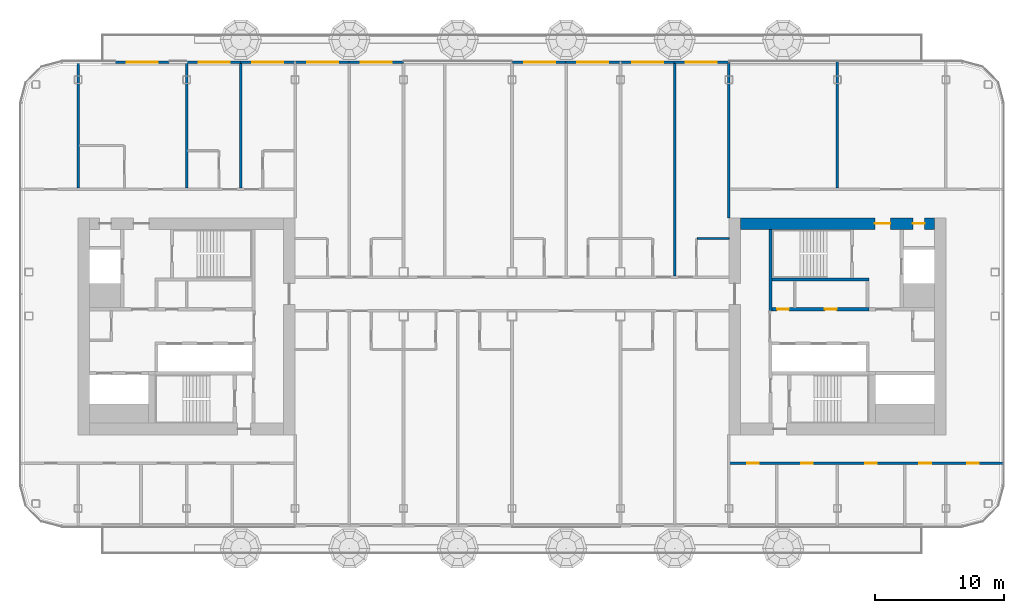
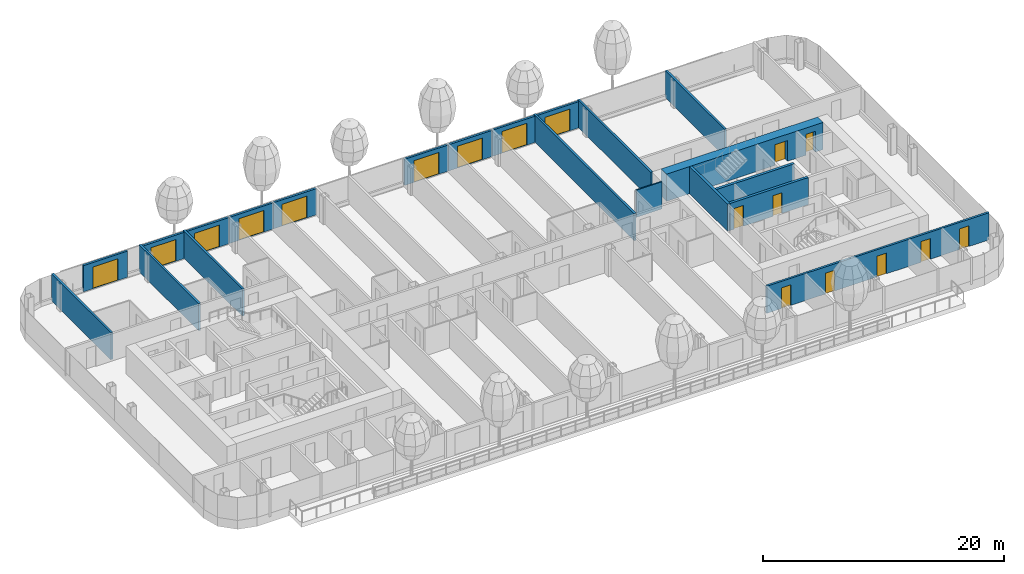
# One storey, part 15 of 29: 21 walls, 18 doors, 18 openings, 1 element without a shape of its own.
"""IFC4 building model written with IfcOpenShell, lengths in metres."""

from ifc_helpers import new_model, si_unit, direction, frame, frame_2d, origin, place, context, subcontext, project, spatial, rectangle, extrude, material, layer, layer_set, type_object, element, fill, aggregate, save


model = new_model("IFC4")

# Units and contexts
model_context = context("Model", 3, precision=1e-05, world=origin(), true_north=direction((0.0, 1.0)))
body_context = subcontext(model_context, "Body", "Model", "MODEL_VIEW")
ifc_project = project(units=[si_unit("LENGTHUNIT", "METRE"), si_unit("AREAUNIT", "SQUARE_METRE"), si_unit("VOLUMEUNIT", "CUBIC_METRE"), si_unit("PLANEANGLEUNIT", "RADIAN"), si_unit("MASSUNIT", "GRAM", prefix="KILO")], contexts=[model_context])

# Site, building, storey
site_placement = place(None, origin())
site = spatial("IfcSite", under=ifc_project, at=site_placement, CompositionType="ELEMENT")
building_placement = place(site_placement, origin())
building = spatial("IfcBuilding", under=site, at=building_placement, Name="Hakoniwa Tower and Hamabe Station Hall", CompositionType="ELEMENT")
storey_placement = place(building_placement, frame((0.0, 0.0, 205.800048828125)))
storey = spatial("IfcBuildingStorey", under=building, at=storey_placement, Name="L58", CompositionType="ELEMENT", Elevation=205.800048828125)

# Wall
ifc_material_1 = material(Name="Gypsum board partition", Category="gypsum")
ifc_layer_1 = layer(ifc_material_1, 0.125)
ifc_layer_set_1 = layer_set([ifc_layer_1], Name="Bathroom Partition 125")
wall_type_1 = type_object("IfcWallType", Name="Bathroom Partition 125", PredefinedType="PARTITIONING", material=ifc_layer_set_1)
wall_1_placement = place(storey_placement, frame((14.362548828125, 6.800048828125, 0.0), z_axis=(0.0, 0.0, 1.0), x_axis=(1.0, 0.0, 0.0)))
element("IfcWall", 1, at=wall_1_placement, inside=storey, type_object=wall_type_1, Name="GW-L58-014", PredefinedType="PARTITIONING", context=body_context, shape_type="SweptSolid", body=[
    extrude(rectangle(XDim=2.447509765625, YDim=0.125, at=frame_2d((1.2236328125, 0.0))), origin(), (0.0, 0.0, 1.0), 2.75),
])

# Wall, openings, doors
ifc_material_2 = material(Name="Concrete C60", Category="concrete")
ifc_layer_2 = layer(ifc_material_2, 0.89990234375)
ifc_layer_set_2 = layer_set([ifc_layer_2], Name="CORE WALL 900 C60")
wall_type_2 = type_object("IfcWallType", Name="CORE WALL 900 C60", PredefinedType="SHEAR", material=ifc_layer_set_2)
wall_2_placement = place(storey_placement, frame((17.699951171875, 7.949951171875, 0.0), z_axis=(0.0, 0.0, 1.0), x_axis=(1.0, 0.0, 0.0)))
wall_2 = element("IfcWall", 2, at=wall_2_placement, inside=storey, type_object=wall_type_2, Name="Core wall NORTH east", PredefinedType="SHEAR", context=body_context, shape_type="SweptSolid", body=[
    extrude(rectangle(XDim=15.0, YDim=0.89990234375, at=frame_2d((7.5, 0.0))), origin(), (0.0, 0.0, 1.0), 2.75),
])
opening_1_placement = place(wall_2_placement, frame((10.39990234375, 0.0, 0.0)))
opening_1 = element("IfcOpeningElement", 3, at=opening_1_placement, cuts=wall_2, Name="Opening CD-E-FN1-12", PredefinedType="OPENING", context=body_context, shape_type="SweptSolid", body=[
    extrude(rectangle(XDim=1.199951171875, YDim=2.10009765625, at=frame_2d((0.60009765625, 1.050048828125))), frame((0.0, 0.4599609375, 0.0), z_axis=(0.0, -1.0, 0.0), x_axis=(1.0, 0.0, 0.0)), (0.0, 0.0, 1.0), 0.919921875),
])
opening_2_placement = place(wall_2_placement, frame((13.35009765625, 0.0, 0.0)))
opening_2 = element("IfcOpeningElement", 4, at=opening_2_placement, cuts=wall_2, Name="Opening CD-E-FN2-9", PredefinedType="OPENING", context=body_context, shape_type="SweptSolid", body=[
    extrude(rectangle(XDim=0.89990234375, YDim=2.10009765625, at=frame_2d((0.449951171875, 1.050048828125))), frame((0.0, 0.4599609375, 0.0), z_axis=(0.0, -1.0, 0.0), x_axis=(1.0, 0.0, 0.0)), (0.0, 0.0, 1.0), 0.919921875),
])
ifc_material_3 = material(Name="Steel fire door", Category="steel")
door_type_1 = type_object("IfcDoorType", Name="CORE DOOR 1200 FD60", OperationType="DOUBLE_DOOR_SINGLE_SWING", PredefinedType="DOOR", material=ifc_material_3)
door_1_placement = place(opening_1_placement, origin())
door_1 = element("IfcDoor", 5, at=door_1_placement, inside=storey, type_object=door_type_1, Name="Stair vestibule door to the fire-fighting lobby", OperationType="DOUBLE_DOOR_SINGLE_SWING", OverallHeight=2.10009765625, OverallWidth=1.199951171875, PredefinedType="DOOR", context=body_context, shape_type="SweptSolid", body=[
    extrude(rectangle(XDim=1.199951171875, YDim=2.10009765625, at=frame_2d((0.60009765625, 1.050048828125))), frame((0.0, 0.02490234375, 0.0), z_axis=(0.0, -1.0, 0.0), x_axis=(1.0, 0.0, 0.0)), (0.0, 0.0, 1.0), 0.050048828125),
])
fill(opening_1, door_1)
ifc_material_4 = material(Name="Steel fire door", Category="steel")
door_type_2 = type_object("IfcDoorType", Name="CORE DOOR 900 FD30", OperationType="NOTDEFINED", PredefinedType="DOOR", material=ifc_material_4)
door_2_placement = place(opening_2_placement, origin())
door_2 = element("IfcDoor", 6, at=door_2_placement, inside=storey, type_object=door_type_2, Name="Riser access door", OperationType="SINGLE_SWING_LEFT", OverallHeight=2.10009765625, OverallWidth=0.89990234375, PredefinedType="DOOR", context=body_context, shape_type="SweptSolid", body=[
    extrude(rectangle(XDim=0.89990234375, YDim=2.10009765625, at=frame_2d((0.449951171875, 1.050048828125))), frame((0.0, 0.02490234375, 0.0), z_axis=(0.0, -1.0, 0.0), x_axis=(1.0, 0.0, 0.0)), (0.0, 0.0, 1.0), 0.050048828125),
])
fill(opening_2, door_2)

# Wall
ifc_material_5 = material(Name="Concrete C60", Category="concrete")
ifc_layer_3 = layer(ifc_material_5, 0.25)
ifc_layer_set_3 = layer_set([ifc_layer_3], Name="CORE WEB WALL 250 C60")
wall_type_3 = type_object("IfcWallType", Name="CORE WEB WALL 250 C60", PredefinedType="SHEAR", material=ifc_layer_set_3)
wall_3_placement = place(storey_placement, frame((20.02490234375, 1.199951171875, 0.0), z_axis=(0.0, 0.0, 1.0), x_axis=(0.0, 1.0, 0.0)))
element("IfcWall", 7, at=wall_3_placement, inside=storey, type_object=wall_type_3, Name="Core wall W1N east", PredefinedType="SHEAR", context=body_context, shape_type="SweptSolid", body=[
    extrude(rectangle(XDim=6.300048828125, YDim=0.25, at=frame_2d((3.14990234375, 0.0))), origin(), (0.0, 0.0, 1.0), 2.75),
])

# Wall, openings, doors
wall_4_placement = place(storey_placement, frame((20.14990234375, 1.324951171875, 0.0), z_axis=(0.0, 0.0, 1.0), x_axis=(1.0, 0.0, 0.0)))
wall_4 = element("IfcWall", 8, at=wall_4_placement, inside=storey, type_object=wall_type_3, Name="Core wall NF east", PredefinedType="SHEAR", context=body_context, shape_type="SweptSolid", body=[
    extrude(rectangle(XDim=7.5, YDim=0.25, at=frame_2d((3.75, 0.0))), origin(), (0.0, 0.0, 1.0), 2.75),
])
opening_3_placement = place(wall_4_placement, frame((0.387451171875, 0.0, 0.0)))
opening_3 = element("IfcOpeningElement", 9, at=opening_3_placement, cuts=wall_4, Name="Opening CD-E-FRLR0-9", PredefinedType="OPENING", context=body_context, shape_type="SweptSolid", body=[
    extrude(rectangle(XDim=0.89990234375, YDim=2.10009765625, at=frame_2d((0.449951171875, 1.050048828125))), frame((0.0, 0.135009765625, 0.0), z_axis=(0.0, -1.0, 0.0), x_axis=(1.0, 0.0, 0.0)), (0.0, 0.0, 1.0), 0.27001953125),
])
opening_4_placement = place(wall_4_placement, frame((4.08740234375, 0.0, 0.0)))
opening_4 = element("IfcOpeningElement", 10, at=opening_4_placement, cuts=wall_4, Name="Opening CD-E-FRLR1-9", PredefinedType="OPENING", context=body_context, shape_type="SweptSolid", body=[
    extrude(rectangle(XDim=0.89990234375, YDim=2.10009765625, at=frame_2d((0.449951171875, 1.050048828125))), frame((0.0, 0.135009765625, 0.0), z_axis=(0.0, -1.0, 0.0), x_axis=(1.0, 0.0, 0.0)), (0.0, 0.0, 1.0), 0.27001953125),
])
door_3_placement = place(opening_3_placement, origin())
door_3 = element("IfcDoor", 11, at=door_3_placement, inside=storey, type_object=door_type_2, Name="Store room door", OperationType="SINGLE_SWING_LEFT", OverallHeight=2.10009765625, OverallWidth=0.89990234375, PredefinedType="DOOR", context=body_context, shape_type="SweptSolid", body=[
    extrude(rectangle(XDim=0.89990234375, YDim=2.10009765625, at=frame_2d((0.449951171875, 1.050048828125))), frame((0.0, 0.02490234375, 0.0), z_axis=(0.0, -1.0, 0.0), x_axis=(1.0, 0.0, 0.0)), (0.0, 0.0, 1.0), 0.050048828125),
])
fill(opening_3, door_3)
door_4_placement = place(opening_4_placement, origin())
door_4 = element("IfcDoor", 12, at=door_4_placement, inside=storey, type_object=door_type_2, Name="Store room door", OperationType="SINGLE_SWING_RIGHT", OverallHeight=2.10009765625, OverallWidth=0.89990234375, PredefinedType="DOOR", context=body_context, shape_type="SweptSolid", body=[
    extrude(rectangle(XDim=0.89990234375, YDim=2.10009765625, at=frame_2d((0.449951171875, 1.050048828125))), frame((0.0, 0.02490234375, 0.0), z_axis=(0.0, -1.0, 0.0), x_axis=(1.0, 0.0, 0.0)), (0.0, 0.0, 1.0), 0.050048828125),
])
fill(opening_4, door_4)

# Wall
wall_5_placement = place(storey_placement, frame((20.14990234375, 3.625, 0.0), z_axis=(0.0, 0.0, 1.0), x_axis=(1.0, 0.0, 0.0)))
element("IfcWall", 13, at=wall_5_placement, inside=storey, type_object=wall_type_3, Name="Core wall NR east", PredefinedType="SHEAR", context=body_context, shape_type="SweptSolid", body=[
    extrude(rectangle(XDim=7.5, YDim=0.25, at=frame_2d((3.75, 0.0))), origin(), (0.0, 0.0, 1.0), 2.75),
])

# Wall, openings, doors
ifc_material_6 = material(Name="Fire-rated gypsum board partition", Category="gypsum")
ifc_layer_4 = layer(ifc_material_6, 0.199951171875)
ifc_layer_set_4 = layer_set([ifc_layer_4], Name="Corridor Wall 200")
wall_type_4 = type_object("IfcWallType", Name="Corridor Wall 200", PredefinedType="PARTITIONING", material=ifc_layer_set_4)
wall_6_placement = place(storey_placement, frame((16.800048828125, -10.60009765625, 0.0), z_axis=(0.0, 0.0, 1.0), x_axis=(1.0, 0.0, 0.0)))
wall_6 = element("IfcWall", 14, at=wall_6_placement, inside=storey, type_object=wall_type_4, Name="GW-L58-002", PredefinedType="PARTITIONING", context=body_context, shape_type="SweptSolid", body=[
    extrude(rectangle(XDim=21.300048828125, YDim=0.199951171875, at=frame_2d((10.64990234375, 0.0))), origin(), (0.0, 0.0, 1.0), 2.75),
])
opening_5_placement = place(wall_6_placement, frame((1.39990234375, 0.0, 0.0)))
opening_5 = element("IfcOpeningElement", 15, at=opening_5_placement, cuts=wall_6, Name="Opening GD-G4B1-06", PredefinedType="OPENING", context=body_context, shape_type="SweptSolid", body=[
    extrude(rectangle(XDim=0.89990234375, YDim=2.10009765625, at=frame_2d((0.449951171875, 1.050048828125))), frame((0.0, 0.10986328125, 0.0), z_axis=(0.0, -1.0, 0.0), x_axis=(1.0, 0.0, 0.0)), (0.0, 0.0, 1.0), 0.219970703125),
])
opening_6_placement = place(wall_6_placement, frame((5.60009765625, 0.0, 0.0)))
opening_6 = element("IfcOpeningElement", 16, at=opening_6_placement, cuts=wall_6, Name="Opening GD-G4B1-07", PredefinedType="OPENING", context=body_context, shape_type="SweptSolid", body=[
    extrude(rectangle(XDim=0.89990234375, YDim=2.10009765625, at=frame_2d((0.449951171875, 1.050048828125))), frame((0.0, 0.10986328125, 0.0), z_axis=(0.0, -1.0, 0.0), x_axis=(1.0, 0.0, 0.0)), (0.0, 0.0, 1.0), 0.219970703125),
])
opening_7_placement = place(wall_6_placement, frame((10.554931640625, 0.0, 0.0)))
opening_7 = element("IfcOpeningElement", 17, at=opening_7_placement, cuts=wall_6, Name="Opening GD-G4B1-08", PredefinedType="OPENING", context=body_context, shape_type="SweptSolid", body=[
    extrude(rectangle(XDim=0.89990234375, YDim=2.10009765625, at=frame_2d((0.449951171875, 1.050048828125))), frame((0.0, 0.10986328125, 0.0), z_axis=(0.0, -1.0, 0.0), x_axis=(1.0, 0.0, 0.0)), (0.0, 0.0, 1.0), 0.219970703125),
])
opening_8_placement = place(wall_6_placement, frame((14.7548828125, 0.0, 0.0)))
opening_8 = element("IfcOpeningElement", 18, at=opening_8_placement, cuts=wall_6, Name="Opening GD-G4B1-09", PredefinedType="OPENING", context=body_context, shape_type="SweptSolid", body=[
    extrude(rectangle(XDim=0.89990234375, YDim=2.10009765625, at=frame_2d((0.449951171875, 1.050048828125))), frame((0.0, 0.10986328125, 0.0), z_axis=(0.0, -1.0, 0.0), x_axis=(1.0, 0.0, 0.0)), (0.0, 0.0, 1.0), 0.219970703125),
])
opening_9_placement = place(wall_6_placement, frame((18.449951171875, 0.0, 0.0)))
opening_9 = element("IfcOpeningElement", 19, at=opening_9_placement, cuts=wall_6, Name="Opening GD-G4B1-10", PredefinedType="OPENING", context=body_context, shape_type="SweptSolid", body=[
    extrude(rectangle(XDim=0.89990234375, YDim=2.10009765625, at=frame_2d((0.449951171875, 1.050048828125))), frame((0.0, 0.10986328125, 0.0), z_axis=(0.0, -1.0, 0.0), x_axis=(1.0, 0.0, 0.0)), (0.0, 0.0, 1.0), 0.219970703125),
])
ifc_material_7 = material(Name="Timber door leaf", Category="wood")
door_type_3 = type_object("IfcDoorType", Name="Service Door 900", OperationType="SINGLE_SWING_LEFT", PredefinedType="DOOR", material=ifc_material_7)
door_5_placement = place(opening_5_placement, origin())
door_5 = element("IfcDoor", 20, at=door_5_placement, inside=storey, type_object=door_type_3, Name="Door GD-G4B1-06", OperationType="SINGLE_SWING_LEFT", OverallHeight=2.10009765625, OverallWidth=0.89990234375, PredefinedType="DOOR", context=body_context, shape_type="SweptSolid", body=[
    extrude(rectangle(XDim=0.89990234375, YDim=2.10009765625, at=frame_2d((0.449951171875, 1.050048828125))), frame((0.0, 0.02490234375, 0.0), z_axis=(0.0, -1.0, 0.0), x_axis=(1.0, 0.0, 0.0)), (0.0, 0.0, 1.0), 0.050048828125),
])
fill(opening_5, door_5)
door_6_placement = place(opening_6_placement, origin())
door_6 = element("IfcDoor", 21, at=door_6_placement, inside=storey, type_object=door_type_3, Name="Door GD-G4B1-07", OperationType="SINGLE_SWING_RIGHT", OverallHeight=2.10009765625, OverallWidth=0.89990234375, PredefinedType="DOOR", context=body_context, shape_type="SweptSolid", body=[
    extrude(rectangle(XDim=0.89990234375, YDim=2.10009765625, at=frame_2d((0.449951171875, 1.050048828125))), frame((0.0, 0.02490234375, 0.0), z_axis=(0.0, -1.0, 0.0), x_axis=(1.0, 0.0, 0.0)), (0.0, 0.0, 1.0), 0.050048828125),
])
fill(opening_6, door_6)
door_7_placement = place(opening_7_placement, origin())
door_7 = element("IfcDoor", 22, at=door_7_placement, inside=storey, type_object=door_type_3, Name="Door GD-G4B1-08", OperationType="SINGLE_SWING_LEFT", OverallHeight=2.10009765625, OverallWidth=0.89990234375, PredefinedType="DOOR", context=body_context, shape_type="SweptSolid", body=[
    extrude(rectangle(XDim=0.89990234375, YDim=2.10009765625, at=frame_2d((0.449951171875, 1.050048828125))), frame((0.0, 0.02490234375, 0.0), z_axis=(0.0, -1.0, 0.0), x_axis=(1.0, 0.0, 0.0)), (0.0, 0.0, 1.0), 0.050048828125),
])
fill(opening_7, door_7)
door_8_placement = place(opening_8_placement, origin())
door_8 = element("IfcDoor", 23, at=door_8_placement, inside=storey, type_object=door_type_3, Name="Door GD-G4B1-09", OperationType="SINGLE_SWING_RIGHT", OverallHeight=2.10009765625, OverallWidth=0.89990234375, PredefinedType="DOOR", context=body_context, shape_type="SweptSolid", body=[
    extrude(rectangle(XDim=0.89990234375, YDim=2.10009765625, at=frame_2d((0.449951171875, 1.050048828125))), frame((0.0, 0.02490234375, 0.0), z_axis=(0.0, -1.0, 0.0), x_axis=(1.0, 0.0, 0.0)), (0.0, 0.0, 1.0), 0.050048828125),
])
fill(opening_8, door_8)
door_9_placement = place(opening_9_placement, origin())
door_9 = element("IfcDoor", 24, at=door_9_placement, inside=storey, type_object=door_type_3, Name="Door GD-G4B1-10", OperationType="SINGLE_SWING_LEFT", OverallHeight=2.10009765625, OverallWidth=0.89990234375, PredefinedType="DOOR", context=body_context, shape_type="SweptSolid", body=[
    extrude(rectangle(XDim=0.89990234375, YDim=2.10009765625, at=frame_2d((0.449951171875, 1.050048828125))), frame((0.0, 0.02490234375, 0.0), z_axis=(0.0, -1.0, 0.0), x_axis=(1.0, 0.0, 0.0)), (0.0, 0.0, 1.0), 0.050048828125),
])
fill(opening_9, door_9)

# Curtain wall, walls, openings, doors
ifc_material_8 = material(Name="Dark low-e laminated glass", Category="glass")
ifc_layer_5 = layer(ifc_material_8, 0.199951171875)
ifc_layer_set_5 = layer_set([ifc_layer_5], Name="CW-1 UNITISED GUEST")
curtain_wall_type = type_object("IfcCurtainWallType", Name="CW-1 UNITISED GUEST", PredefinedType="NOTDEFINED", material=ifc_layer_set_5)
curtain_wall_placement = place(storey_placement, origin())
curtain_wall = element("IfcCurtainWall", 25, at=curtain_wall_placement, inside=storey, type_object=curtain_wall_type, Name="CW-1 curtain wall", PredefinedType="NOTDEFINED")
ifc_material_9 = material(Name="Dark glass-faced aluminium panel", Category="aluminium")
ifc_layer_6 = layer(ifc_material_9, 0.199951171875)
ifc_layer_set_6 = layer_set([ifc_layer_6], Name="DOOR BAY WALL")
wall_type_5 = type_object("IfcWallType", Name="DOOR BAY WALL", PredefinedType="NOTDEFINED", material=ifc_layer_set_6)
wall_7_placement = place(storey_placement, frame((16.780029296875, 20.449951171875, 0.0), z_axis=(0.0, 0.0, 1.0), x_axis=(-1.0, 0.0, 0.0)))
wall_7 = element("IfcWall", 26, at=wall_7_placement, type_object=wall_type_5, Name="Door bay wall", PredefinedType="NOTDEFINED", context=body_context, shape_type="SweptSolid", body=[
    extrude(rectangle(XDim=4.219970703125, YDim=0.199951171875, at=frame_2d((2.10986328125, 0.0))), origin(), (0.0, 0.0, 1.0), 2.64990234375),
])
opening_10_placement = place(wall_7_placement, frame((0.909912109375, 0.0, 0.0)))
opening_10 = element("IfcOpeningElement", 27, at=opening_10_placement, cuts=wall_7, Name="Opening BD-N03-6", PredefinedType="OPENING", context=body_context, shape_type="SweptSolid", body=[
    extrude(rectangle(XDim=2.39990234375, YDim=2.199951171875, at=frame_2d((1.199951171875, 1.10009765625))), frame((0.0, 0.10986328125, 0.0), z_axis=(0.0, -1.0, 0.0), x_axis=(1.0, 0.0, 0.0)), (0.0, 0.0, 1.0), 0.219970703125),
])
ifc_material_10 = material(Name="Dark low-e laminated glass", Category="glass")
door_type_4 = type_object("IfcDoorType", Name="BALCONY SLIDING DOOR 2400X2200", OperationType="SLIDING_TO_LEFT", PredefinedType="DOOR", material=ifc_material_10)
door_10_placement = place(opening_10_placement, frame((2.39990234375, 0.0, 0.0), z_axis=(0.0, 0.0, 1.0), x_axis=(-1.0, 0.0, 0.0)))
door_10 = element("IfcDoor", 28, at=door_10_placement, inside=storey, type_object=door_type_4, Name="Balcony sliding door", OperationType="SLIDING_TO_LEFT", OverallHeight=2.199951171875, OverallWidth=2.39990234375, PredefinedType="DOOR", context=body_context, shape_type="SweptSolid", body=[
    extrude(rectangle(XDim=2.39990234375, YDim=2.199951171875, at=frame_2d((1.199951171875, 1.10009765625))), frame((0.0, 0.02490234375, 0.0), z_axis=(0.0, -1.0, 0.0), x_axis=(1.0, 0.0, 0.0)), (0.0, 0.0, 1.0), 0.050048828125),
])
fill(opening_10, door_10)
wall_8_placement = place(storey_placement, frame((12.639892578125, 20.449951171875, 0.0), z_axis=(0.0, 0.0, 1.0), x_axis=(-1.0, 0.0, 0.0)))
wall_8 = element("IfcWall", 29, at=wall_8_placement, type_object=wall_type_5, Name="Door bay wall", PredefinedType="NOTDEFINED", context=body_context, shape_type="SweptSolid", body=[
    extrude(rectangle(XDim=4.219970703125, YDim=0.199951171875, at=frame_2d((2.10986328125, 0.0))), origin(), (0.0, 0.0, 1.0), 2.64990234375),
])
opening_11_placement = place(wall_8_placement, frame((0.909912109375, 0.0, 0.0)))
opening_11 = element("IfcOpeningElement", 30, at=opening_11_placement, cuts=wall_8, Name="Opening BD-N03-5", PredefinedType="OPENING", context=body_context, shape_type="SweptSolid", body=[
    extrude(rectangle(XDim=2.39990234375, YDim=2.199951171875, at=frame_2d((1.199951171875, 1.10009765625))), frame((0.0, 0.10986328125, 0.0), z_axis=(0.0, -1.0, 0.0), x_axis=(1.0, 0.0, 0.0)), (0.0, 0.0, 1.0), 0.219970703125),
])
door_11_placement = place(opening_11_placement, frame((2.39990234375, 0.0, 0.0), z_axis=(0.0, 0.0, 1.0), x_axis=(-1.0, 0.0, 0.0)))
door_11 = element("IfcDoor", 31, at=door_11_placement, inside=storey, type_object=door_type_4, Name="Balcony sliding door", OperationType="SLIDING_TO_LEFT", OverallHeight=2.199951171875, OverallWidth=2.39990234375, PredefinedType="DOOR", context=body_context, shape_type="SweptSolid", body=[
    extrude(rectangle(XDim=2.39990234375, YDim=2.199951171875, at=frame_2d((1.199951171875, 1.10009765625))), frame((0.0, 0.02490234375, 0.0), z_axis=(0.0, -1.0, 0.0), x_axis=(1.0, 0.0, 0.0)), (0.0, 0.0, 1.0), 0.050048828125),
])
fill(opening_11, door_11)
wall_9_placement = place(storey_placement, frame((8.3798828125, 20.449951171875, 0.0), z_axis=(0.0, 0.0, 1.0), x_axis=(-1.0, 0.0, 0.0)))
wall_9 = element("IfcWall", 32, at=wall_9_placement, type_object=wall_type_5, Name="Door bay wall", PredefinedType="NOTDEFINED", context=body_context, shape_type="SweptSolid", body=[
    extrude(rectangle(XDim=4.219970703125, YDim=0.199951171875, at=frame_2d((2.10986328125, 0.0))), origin(), (0.0, 0.0, 1.0), 2.64990234375),
])
opening_12_placement = place(wall_9_placement, frame((0.909912109375, 0.0, 0.0)))
opening_12 = element("IfcOpeningElement", 33, at=opening_12_placement, cuts=wall_9, Name="Opening BD-N03-4", PredefinedType="OPENING", context=body_context, shape_type="SweptSolid", body=[
    extrude(rectangle(XDim=2.39990234375, YDim=2.199951171875, at=frame_2d((1.199951171875, 1.10009765625))), frame((0.0, 0.10986328125, 0.0), z_axis=(0.0, -1.0, 0.0), x_axis=(1.0, 0.0, 0.0)), (0.0, 0.0, 1.0), 0.219970703125),
])
door_12_placement = place(opening_12_placement, frame((2.39990234375, 0.0, 0.0), z_axis=(0.0, 0.0, 1.0), x_axis=(-1.0, 0.0, 0.0)))
door_12 = element("IfcDoor", 34, at=door_12_placement, inside=storey, type_object=door_type_4, Name="Balcony sliding door", OperationType="SLIDING_TO_LEFT", OverallHeight=2.199951171875, OverallWidth=2.39990234375, PredefinedType="DOOR", context=body_context, shape_type="SweptSolid", body=[
    extrude(rectangle(XDim=2.39990234375, YDim=2.199951171875, at=frame_2d((1.199951171875, 1.10009765625))), frame((0.0, 0.02490234375, 0.0), z_axis=(0.0, -1.0, 0.0), x_axis=(1.0, 0.0, 0.0)), (0.0, 0.0, 1.0), 0.050048828125),
])
fill(opening_12, door_12)
wall_10_placement = place(storey_placement, frame((4.239990234375, 20.449951171875, 0.0), z_axis=(0.0, 0.0, 1.0), x_axis=(-1.0, 0.0, 0.0)))
wall_10 = element("IfcWall", 35, at=wall_10_placement, type_object=wall_type_5, Name="Door bay wall", PredefinedType="NOTDEFINED", context=body_context, shape_type="SweptSolid", body=[
    extrude(rectangle(XDim=4.219970703125, YDim=0.199951171875, at=frame_2d((2.10986328125, 0.0))), origin(), (0.0, 0.0, 1.0), 2.64990234375),
])
opening_13_placement = place(wall_10_placement, frame((0.909912109375, 0.0, 0.0)))
opening_13 = element("IfcOpeningElement", 36, at=opening_13_placement, cuts=wall_10, Name="Opening BD-N03-3", PredefinedType="OPENING", context=body_context, shape_type="SweptSolid", body=[
    extrude(rectangle(XDim=2.39990234375, YDim=2.199951171875, at=frame_2d((1.199951171875, 1.10009765625))), frame((0.0, 0.10986328125, 0.0), z_axis=(0.0, -1.0, 0.0), x_axis=(1.0, 0.0, 0.0)), (0.0, 0.0, 1.0), 0.219970703125),
])
door_13_placement = place(opening_13_placement, frame((2.39990234375, 0.0, 0.0), z_axis=(0.0, 0.0, 1.0), x_axis=(-1.0, 0.0, 0.0)))
door_13 = element("IfcDoor", 37, at=door_13_placement, inside=storey, type_object=door_type_4, Name="Balcony sliding door", OperationType="SLIDING_TO_LEFT", OverallHeight=2.199951171875, OverallWidth=2.39990234375, PredefinedType="DOOR", context=body_context, shape_type="SweptSolid", body=[
    extrude(rectangle(XDim=2.39990234375, YDim=2.199951171875, at=frame_2d((1.199951171875, 1.10009765625))), frame((0.0, 0.02490234375, 0.0), z_axis=(0.0, -1.0, 0.0), x_axis=(1.0, 0.0, 0.0)), (0.0, 0.0, 1.0), 0.050048828125),
])
fill(opening_13, door_13)
wall_11_placement = place(storey_placement, frame((-8.419921875, 20.449951171875, 0.0), z_axis=(0.0, 0.0, 1.0), x_axis=(-1.0, 0.0, 0.0)))
wall_11 = element("IfcWall", 38, at=wall_11_placement, type_object=wall_type_5, Name="Door bay wall", PredefinedType="NOTDEFINED", context=body_context, shape_type="SweptSolid", body=[
    extrude(rectangle(XDim=4.219970703125, YDim=0.199951171875, at=frame_2d((2.10986328125, 0.0))), origin(), (0.0, 0.0, 1.0), 2.64990234375),
])
opening_14_placement = place(wall_11_placement, frame((0.909912109375, 0.0, 0.0)))
opening_14 = element("IfcOpeningElement", 39, at=opening_14_placement, cuts=wall_11, Name="Opening BD-N03-2", PredefinedType="OPENING", context=body_context, shape_type="SweptSolid", body=[
    extrude(rectangle(XDim=2.39990234375, YDim=2.199951171875, at=frame_2d((1.199951171875, 1.10009765625))), frame((0.0, 0.10986328125, 0.0), z_axis=(0.0, -1.0, 0.0), x_axis=(1.0, 0.0, 0.0)), (0.0, 0.0, 1.0), 0.219970703125),
])
door_14_placement = place(opening_14_placement, frame((2.39990234375, 0.0, 0.0), z_axis=(0.0, 0.0, 1.0), x_axis=(-1.0, 0.0, 0.0)))
door_14 = element("IfcDoor", 40, at=door_14_placement, inside=storey, type_object=door_type_4, Name="Balcony sliding door", OperationType="SLIDING_TO_LEFT", OverallHeight=2.199951171875, OverallWidth=2.39990234375, PredefinedType="DOOR", context=body_context, shape_type="SweptSolid", body=[
    extrude(rectangle(XDim=2.39990234375, YDim=2.199951171875, at=frame_2d((1.199951171875, 1.10009765625))), frame((0.0, 0.02490234375, 0.0), z_axis=(0.0, -1.0, 0.0), x_axis=(1.0, 0.0, 0.0)), (0.0, 0.0, 1.0), 0.050048828125),
])
fill(opening_14, door_14)
wall_12_placement = place(storey_placement, frame((-12.56005859375, 20.449951171875, 0.0), z_axis=(0.0, 0.0, 1.0), x_axis=(-1.0, 0.0, 0.0)))
wall_12 = element("IfcWall", 41, at=wall_12_placement, type_object=wall_type_5, Name="Door bay wall", PredefinedType="NOTDEFINED", context=body_context, shape_type="SweptSolid", body=[
    extrude(rectangle(XDim=4.219970703125, YDim=0.199951171875, at=frame_2d((2.10986328125, 0.0))), origin(), (0.0, 0.0, 1.0), 2.64990234375),
])
opening_15_placement = place(wall_12_placement, frame((0.909912109375, 0.0, 0.0)))
opening_15 = element("IfcOpeningElement", 42, at=opening_15_placement, cuts=wall_12, Name="Opening BD-N03-1", PredefinedType="OPENING", context=body_context, shape_type="SweptSolid", body=[
    extrude(rectangle(XDim=2.39990234375, YDim=2.199951171875, at=frame_2d((1.199951171875, 1.10009765625))), frame((0.0, 0.10986328125, 0.0), z_axis=(0.0, -1.0, 0.0), x_axis=(1.0, 0.0, 0.0)), (0.0, 0.0, 1.0), 0.219970703125),
])
door_15_placement = place(opening_15_placement, frame((2.39990234375, 0.0, 0.0), z_axis=(0.0, 0.0, 1.0), x_axis=(-1.0, 0.0, 0.0)))
door_15 = element("IfcDoor", 43, at=door_15_placement, inside=storey, type_object=door_type_4, Name="Balcony sliding door", OperationType="SLIDING_TO_LEFT", OverallHeight=2.199951171875, OverallWidth=2.39990234375, PredefinedType="DOOR", context=body_context, shape_type="SweptSolid", body=[
    extrude(rectangle(XDim=2.39990234375, YDim=2.199951171875, at=frame_2d((1.199951171875, 1.10009765625))), frame((0.0, 0.02490234375, 0.0), z_axis=(0.0, -1.0, 0.0), x_axis=(1.0, 0.0, 0.0)), (0.0, 0.0, 1.0), 0.050048828125),
])
fill(opening_15, door_15)
wall_13_placement = place(storey_placement, frame((-16.820068359375, 20.449951171875, 0.0), z_axis=(0.0, 0.0, 1.0), x_axis=(-1.0, 0.0, 0.0)))
wall_13 = element("IfcWall", 44, at=wall_13_placement, type_object=wall_type_5, Name="Door bay wall", PredefinedType="NOTDEFINED", context=body_context, shape_type="SweptSolid", body=[
    extrude(rectangle(XDim=4.219970703125, YDim=0.199951171875, at=frame_2d((2.10986328125, 0.0))), origin(), (0.0, 0.0, 1.0), 2.64990234375),
])
opening_16_placement = place(wall_13_placement, frame((0.909912109375, 0.0, 0.0)))
opening_16 = element("IfcOpeningElement", 45, at=opening_16_placement, cuts=wall_13, Name="Opening BD-N03-15", PredefinedType="OPENING", context=body_context, shape_type="SweptSolid", body=[
    extrude(rectangle(XDim=2.39990234375, YDim=2.199951171875, at=frame_2d((1.199951171875, 1.10009765625))), frame((0.0, 0.10986328125, 0.0), z_axis=(0.0, -1.0, 0.0), x_axis=(1.0, 0.0, 0.0)), (0.0, 0.0, 1.0), 0.219970703125),
])
door_16_placement = place(opening_16_placement, frame((2.39990234375, 0.0, 0.0), z_axis=(0.0, 0.0, 1.0), x_axis=(-1.0, 0.0, 0.0)))
door_16 = element("IfcDoor", 46, at=door_16_placement, inside=storey, type_object=door_type_4, Name="Balcony sliding door", OperationType="SLIDING_TO_LEFT", OverallHeight=2.199951171875, OverallWidth=2.39990234375, PredefinedType="DOOR", context=body_context, shape_type="SweptSolid", body=[
    extrude(rectangle(XDim=2.39990234375, YDim=2.199951171875, at=frame_2d((1.199951171875, 1.10009765625))), frame((0.0, 0.02490234375, 0.0), z_axis=(0.0, -1.0, 0.0), x_axis=(1.0, 0.0, 0.0)), (0.0, 0.0, 1.0), 0.050048828125),
])
fill(opening_16, door_16)
wall_14_placement = place(storey_placement, frame((-20.9599609375, 20.449951171875, 0.0), z_axis=(0.0, 0.0, 1.0), x_axis=(-1.0, 0.0, 0.0)))
wall_14 = element("IfcWall", 47, at=wall_14_placement, type_object=wall_type_5, Name="Door bay wall", PredefinedType="NOTDEFINED", context=body_context, shape_type="SweptSolid", body=[
    extrude(rectangle(XDim=4.219970703125, YDim=0.199951171875, at=frame_2d((2.10986328125, 0.0))), origin(), (0.0, 0.0, 1.0), 2.64990234375),
])
opening_17_placement = place(wall_14_placement, frame((0.909912109375, 0.0, 0.0)))
opening_17 = element("IfcOpeningElement", 48, at=opening_17_placement, cuts=wall_14, Name="Opening BD-N03-14", PredefinedType="OPENING", context=body_context, shape_type="SweptSolid", body=[
    extrude(rectangle(XDim=2.39990234375, YDim=2.199951171875, at=frame_2d((1.199951171875, 1.10009765625))), frame((0.0, 0.10986328125, 0.0), z_axis=(0.0, -1.0, 0.0), x_axis=(1.0, 0.0, 0.0)), (0.0, 0.0, 1.0), 0.219970703125),
])
door_17_placement = place(opening_17_placement, frame((2.39990234375, 0.0, 0.0), z_axis=(0.0, 0.0, 1.0), x_axis=(-1.0, 0.0, 0.0)))
door_17 = element("IfcDoor", 49, at=door_17_placement, inside=storey, type_object=door_type_4, Name="Balcony sliding door", OperationType="SLIDING_TO_LEFT", OverallHeight=2.199951171875, OverallWidth=2.39990234375, PredefinedType="DOOR", context=body_context, shape_type="SweptSolid", body=[
    extrude(rectangle(XDim=2.39990234375, YDim=2.199951171875, at=frame_2d((1.199951171875, 1.10009765625))), frame((0.0, 0.02490234375, 0.0), z_axis=(0.0, -1.0, 0.0), x_axis=(1.0, 0.0, 0.0)), (0.0, 0.0, 1.0), 0.050048828125),
])
fill(opening_17, door_17)
wall_15_placement = place(storey_placement, frame((-26.514892578125, 20.449951171875, 0.0), z_axis=(0.0, 0.0, 1.0), x_axis=(-1.0, 0.0, 0.0)))
wall_15 = element("IfcWall", 50, at=wall_15_placement, type_object=wall_type_5, Name="Door bay wall", PredefinedType="NOTDEFINED", context=body_context, shape_type="SweptSolid", body=[
    extrude(rectangle(XDim=4.22021484375, YDim=0.199951171875, at=frame_2d((2.110107421875, 0.0))), origin(), (0.0, 0.0, 1.0), 2.64990234375),
])
opening_18_placement = place(wall_15_placement, frame((0.909912109375, 0.0, 0.0)))
opening_18 = element("IfcOpeningElement", 51, at=opening_18_placement, cuts=wall_15, Name="Opening BD-N03-13", PredefinedType="OPENING", context=body_context, shape_type="SweptSolid", body=[
    extrude(rectangle(XDim=2.39990234375, YDim=2.199951171875, at=frame_2d((1.199951171875, 1.10009765625))), frame((0.0, 0.10986328125, 0.0), z_axis=(0.0, -1.0, 0.0), x_axis=(1.0, 0.0, 0.0)), (0.0, 0.0, 1.0), 0.219970703125),
])
door_18_placement = place(opening_18_placement, frame((2.39990234375, 0.0, 0.0), z_axis=(0.0, 0.0, 1.0), x_axis=(-1.0, 0.0, 0.0)))
door_18 = element("IfcDoor", 52, at=door_18_placement, inside=storey, type_object=door_type_4, Name="Balcony sliding door", OperationType="SLIDING_TO_LEFT", OverallHeight=2.199951171875, OverallWidth=2.39990234375, PredefinedType="DOOR", context=body_context, shape_type="SweptSolid", body=[
    extrude(rectangle(XDim=2.39990234375, YDim=2.199951171875, at=frame_2d((1.199951171875, 1.10009765625))), frame((0.0, 0.02490234375, 0.0), z_axis=(0.0, -1.0, 0.0), x_axis=(1.0, 0.0, 0.0)), (0.0, 0.0, 1.0), 0.050048828125),
])
fill(opening_18, door_18)
aggregate(curtain_wall, [wall_7, wall_8, wall_9, wall_10, wall_11, wall_12, wall_13, wall_14, wall_15])

# Walls
ifc_material_11 = material(Name="Fire-rated gypsum board partition", Category="gypsum")
ifc_layer_7 = layer(ifc_material_11, 0.199951171875)
ifc_layer_set_7 = layer_set([ifc_layer_7], Name="Party Wall 200")
wall_type_6 = type_object("IfcWallType", Name="Party Wall 200", PredefinedType="PARTITIONING", material=ifc_layer_set_7)
for number, where, z_axis, x_axis, name in (
    (53, (-33.60009765625, 10.699951171875, 0.0), (0.0, 0.0, 1.0), (0.0, 1.0, 0.0), "GW-L58-021"),
    (54, (-25.199951171875, 10.699951171875, 0.0), (0.0, 0.0, 1.0), (0.0, 1.0, 0.0), "GW-L58-025"),
    (55, (-21.0, 10.699951171875, 0.0), (0.0, 0.0, 1.0), (0.0, 1.0, 0.0), "GW-L58-028"),
):
    element("IfcWall", number, at=place(storey_placement, frame(where, z_axis=z_axis, x_axis=x_axis)), inside=storey, type_object=wall_type_6, Name=name, PredefinedType="PARTITIONING", context=body_context, shape_type="SweptSolid", body=[
        extrude(rectangle(XDim=9.85009765625, YDim=0.199951171875, at=frame_2d((4.925048828125, 0.0))), origin(), (0.0, 0.0, 1.0), 2.75),
    ])
wall_16_placement = place(storey_placement, frame((12.60009765625, 3.89990234375, 0.0), z_axis=(0.0, 0.0, 1.0), x_axis=(0.0, 1.0, 0.0)))
element("IfcWall", 56, at=wall_16_placement, inside=storey, type_object=wall_type_6, Name="GW-L58-054", PredefinedType="PARTITIONING", context=body_context, shape_type="SweptSolid", body=[
    extrude(rectangle(XDim=16.650146484375, YDim=0.199951171875, at=frame_2d((8.3251953125, 0.0))), origin(), (0.0, 0.0, 1.0), 2.75),
])
wall_17_placement = place(storey_placement, frame((16.800048828125, 8.389892578125, 0.0), z_axis=(0.0, 0.0, 1.0), x_axis=(0.0, 1.0, 0.0)))
element("IfcWall", 57, at=wall_17_placement, inside=storey, type_object=wall_type_6, Name="GW-L58-058", PredefinedType="PARTITIONING", context=body_context, shape_type="SweptSolid", body=[
    extrude(rectangle(XDim=12.16015625, YDim=0.199951171875, at=frame_2d((6.080078125, 0.0))), origin(), (0.0, 0.0, 1.0), 2.75),
])
wall_18_placement = place(storey_placement, frame((25.199951171875, 10.699951171875, 0.0), z_axis=(0.0, 0.0, 1.0), x_axis=(0.0, 1.0, 0.0)))
element("IfcWall", 58, at=wall_18_placement, inside=storey, type_object=wall_type_6, Name="GW-L58-061", PredefinedType="PARTITIONING", context=body_context, shape_type="SweptSolid", body=[
    extrude(rectangle(XDim=9.85009765625, YDim=0.199951171875, at=frame_2d((4.925048828125, 0.0))), origin(), (0.0, 0.0, 1.0), 2.75),
])

save(model, "model.ifc")
